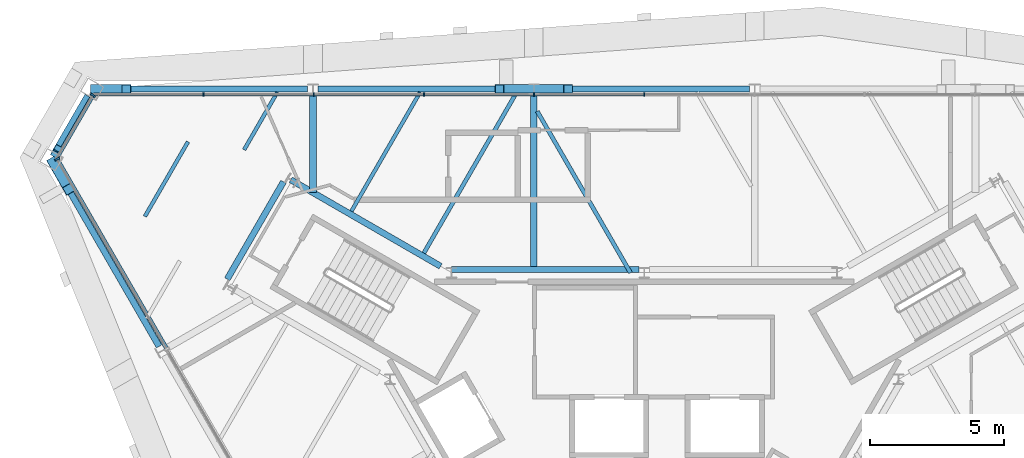
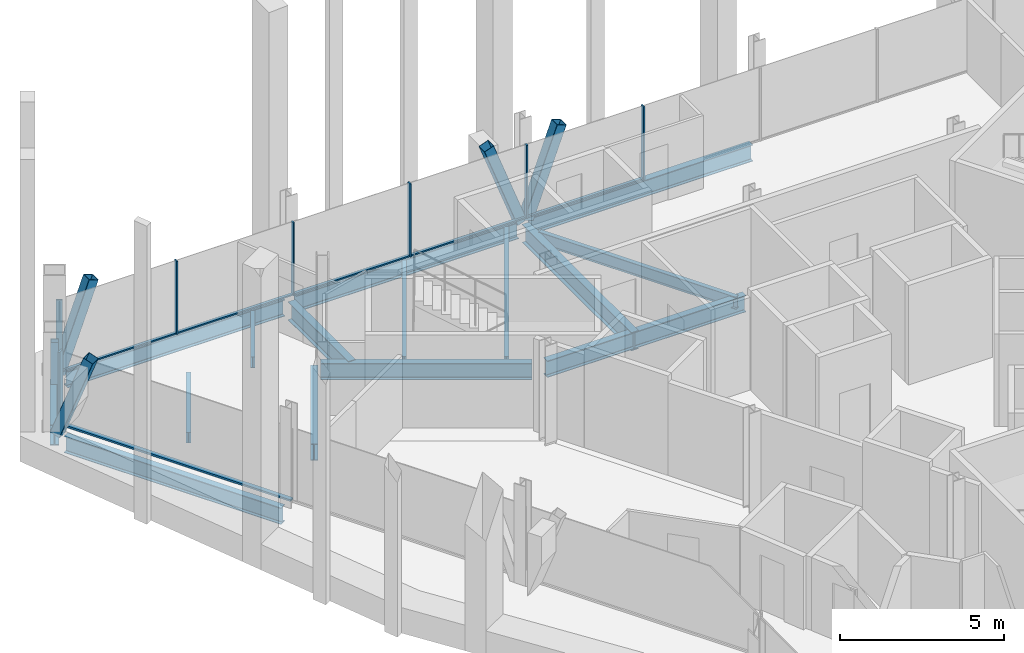
# One storey, part 5 of 12: 19 members, 15 beams, 3 elements without a shape of their own.
"""IFC4 building model written with IfcOpenShell, lengths in metres."""

from ifc_helpers import new_model, si_unit, direction, frame, origin, origin_2d, place, context, subcontext, project, spatial, rectangle, hollow_rectangle, i_section, extrude, material, material_profile, profile_set, type_object, element, aggregate, save


model = new_model("IFC4")

# Units and contexts
model_context = context("Model", 3, precision=1e-05, world=origin(), true_north=direction((0.0, 1.0)))
body_context = subcontext(model_context, "Body", "Model", "MODEL_VIEW")
ifc_project = project(units=[si_unit("LENGTHUNIT", "METRE"), si_unit("AREAUNIT", "SQUARE_METRE"), si_unit("VOLUMEUNIT", "CUBIC_METRE"), si_unit("PLANEANGLEUNIT", "RADIAN"), si_unit("MASSUNIT", "GRAM", prefix="KILO")], contexts=[model_context])

# Site, building, storey
site_placement = place(None, origin())
site = spatial("IfcSite", under=ifc_project, at=site_placement, CompositionType="ELEMENT")
building_placement = place(site_placement, origin())
building = spatial("IfcBuilding", under=site, at=building_placement, Name="Verrane Prism Tower", CompositionType="ELEMENT")
storey_placement = place(building_placement, frame((0.0, 0.0, 264.0)))
storey = spatial("IfcBuildingStorey", under=building, at=storey_placement, Name="L66", CompositionType="ELEMENT", Elevation=264.0)

# Member
ifc_material_1 = material(Name="Steel A500 Grade C", Category="steel")
ifc_material_profile_1 = material_profile(ifc_material_1, hollow_rectangle(XDim=0.25390625, YDim=0.25390625, WallThickness=0.009521484375, InnerFilletRadius=0.0048828125, OuterFilletRadius=0.014404296875, at=origin_2d()), Name="HSS10x10x3/8")
ifc_profile_set_1 = profile_set([ifc_material_profile_1], Name="Steel A500 Grade C")
member_type_1 = type_object("IfcMemberType", Name="Chamfer brace HSS10x10x3/8", PredefinedType="BRACE", material=ifc_profile_set_1)
member_1_placement = place(storey_placement, frame((-21.98486328125, 11.25390625, 1.434814453125), z_axis=(0.067798771595, 0.117337524906, 0.990775066208), x_axis=(-0.865853063258, 0.500298383813, 0.0)))
element("IfcMember", 1, at=member_1_placement, inside=storey, type_object=member_type_1, Name="Chamfer brace NW0 L66", PredefinedType="BRACE", context=body_context, shape_type="SweptSolid", body=[
    extrude(hollow_rectangle(XDim=0.25390625, YDim=0.25390625, WallThickness=0.009521484375, InnerFilletRadius=0.0048828125, OuterFilletRadius=0.014404296875, at=origin_2d()), origin(), (0.0, 0.0, 1.0), 1.444091796875),
])

# Beams
ifc_material_2 = material(Name="Steel A992", Category="steel")
ifc_material_profile_2 = material_profile(ifc_material_2, i_section(OverallWidth=0.2666015625, OverallDepth=0.7568359375, WebThickness=0.013916015625, FlangeThickness=0.019287109375, FilletRadius=0.0166015625, at=origin_2d()), Name="W30x108")
ifc_profile_set_2 = profile_set([ifc_material_profile_2], Name="Steel A992")
beam_type_1 = type_object("IfcBeamType", Name="Chamfer spandrel beam W30x108", PredefinedType="SPANDREL", material=ifc_profile_set_2)
beam_1_placement = place(storey_placement, frame((-20.75, 13.390380859375, -0.53857421875), z_axis=(-0.500436097356, -0.865773476415, 0.0), x_axis=(0.865773476415, -0.500436097356, 0.0)))
element("IfcBeam", 2, at=beam_1_placement, inside=storey, type_object=beam_type_1, Name="Chamfer spandrel beam L66", PredefinedType="SPANDREL", context=body_context, shape_type="SweptSolid", body=[
    extrude(i_section(OverallWidth=0.2666015625, OverallDepth=0.7568359375, WebThickness=0.013916015625, FlangeThickness=0.019287109375, FilletRadius=0.0166015625, at=origin_2d()), origin(), (0.0, 0.0, 1.0), 2.437744140625),
])
ifc_material_3 = material(Name="Steel A992", Category="steel")
ifc_material_profile_3 = material_profile(ifc_material_3, i_section(OverallWidth=0.23046875, OverallDepth=0.6171875, WebThickness=0.01318359375, FlangeThickness=0.022216796875, FilletRadius=0.012939453125, at=origin_2d()), Name="W24x94")
ifc_profile_set_3 = profile_set([ifc_material_profile_3], Name="Steel A992")
beam_type_2 = type_object("IfcBeamType", Name="Core ring girder W24x94", PredefinedType="BEAM", material=ifc_profile_set_3)
beam_2_placement = place(storey_placement, frame((-0.199462890625, 6.92626953125, -0.55859375), z_axis=(-1.0, 0.0, 0.0), x_axis=(0.0, -1.0, 0.0)))
element("IfcBeam", 3, at=beam_2_placement, inside=storey, type_object=beam_type_2, Name="Core ring girder L66", PredefinedType="BEAM", context=body_context, shape_type="SweptSolid", body=[
    extrude(i_section(OverallWidth=0.23046875, OverallDepth=0.6171875, WebThickness=0.01318359375, FlangeThickness=0.022216796875, FilletRadius=0.012939453125, at=origin_2d()), origin(), (0.0, 0.0, 1.0), 7.0),
])
beam_3_placement = place(storey_placement, frame((-7.59814453125, 7.041259765625, -0.55859375), z_axis=(-0.866080992722, 0.499903704773, 0.0), x_axis=(-0.499903704773, -0.866080992722, 0.0)))
element("IfcBeam", 4, at=beam_3_placement, inside=storey, type_object=beam_type_2, Name="Core ring girder L66", PredefinedType="BEAM", context=body_context, shape_type="SweptSolid", body=[
    extrude(i_section(OverallWidth=0.23046875, OverallDepth=0.6171875, WebThickness=0.01318359375, FlangeThickness=0.022216796875, FilletRadius=0.012939453125, at=origin_2d()), origin(), (0.0, 0.0, 1.0), 6.451904296875),
])
beam_4_placement = place(storey_placement, frame((-13.458984375, 10.1923828125, -0.55859375), z_axis=(-0.500375511519, -0.865808493532, 0.0), x_axis=(0.865808493532, -0.500375511519, 0.0)))
element("IfcBeam", 5, at=beam_4_placement, inside=storey, type_object=beam_type_2, Name="Core ring girder L66", PredefinedType="BEAM", context=body_context, shape_type="SweptSolid", body=[
    extrude(i_section(OverallWidth=0.23046875, OverallDepth=0.6171875, WebThickness=0.01318359375, FlangeThickness=0.022216796875, FilletRadius=0.012939453125, at=origin_2d()), origin(), (0.0, 0.0, 1.0), 4.195556640625),
])

# Members
ifc_material_4 = material(Name="Steel A500 Grade C", Category="steel")
ifc_material_profile_4 = material_profile(ifc_material_4, hollow_rectangle(XDim=0.355712890625, YDim=0.355712890625, WallThickness=0.0126953125, InnerFilletRadius=0.00634765625, OuterFilletRadius=0.01904296875, at=origin_2d()), Name="HSS14x14x1/2")
ifc_profile_set_4 = profile_set([ifc_material_profile_4], Name="Steel A500 Grade C")
member_type_2 = type_object("IfcMemberType", Name="Facade brace HSS14x14x1/2", PredefinedType="BRACE", material=ifc_profile_set_4)
for number, where, z_axis, x_axis, name in (
    (6, (-4.009765625, 13.64990234375, -0.171630859375), (0.34799321157, 0.0, 0.937497053169), (0.0, 1.0, 0.0), "Facade brace N2 L66"),
    (7, (-4.230224609375, 13.64990234375, -0.171630859375), (-0.34799321157, 0.0, 0.937497053169), (0.0, -1.0, 0.0), "Facade brace N3 L66"),
):
    element("IfcMember", number, at=place(storey_placement, frame(where, z_axis=z_axis, x_axis=x_axis)), inside=storey, type_object=member_type_2, Name=name, PredefinedType="BRACE", context=body_context, shape_type="SweptSolid", body=[
        extrude(hollow_rectangle(XDim=0.355712890625, YDim=0.355712890625, WallThickness=0.0126953125, InnerFilletRadius=0.00634765625, OuterFilletRadius=0.01904296875, at=origin_2d()), origin(), (0.0, 0.0, 1.0), 3.361328125),
    ])
member_2_placement = place(storey_placement, frame((-20.48974609375, 13.64990234375, -0.171630859375), z_axis=(0.347929370392, 0.0, 0.937520748154), x_axis=(0.0, 1.0, 0.0)))
element("IfcMember", 8, at=member_2_placement, inside=storey, type_object=member_type_2, Name="Facade brace N4 L66", PredefinedType="BRACE", context=body_context, shape_type="SweptSolid", body=[
    extrude(hollow_rectangle(XDim=0.355712890625, YDim=0.355712890625, WallThickness=0.0126953125, InnerFilletRadius=0.00634765625, OuterFilletRadius=0.01904296875, at=origin_2d()), origin(), (0.0, 0.0, 1.0), 3.361083984375),
])
member_3_placement = place(storey_placement, frame((-22.06494140625, 10.924560546875, -0.171630859375), z_axis=(0.174020878561, -0.301558717773, 0.937432170111), x_axis=(0.866130014302, 0.499818765479, 0.0)))
element("IfcMember", 9, at=member_3_placement, inside=storey, type_object=member_type_2, Name="Facade brace SW0 L66", PredefinedType="BRACE", context=body_context, shape_type="SweptSolid", body=[
    extrude(hollow_rectangle(XDim=0.355712890625, YDim=0.355712890625, WallThickness=0.0126953125, InnerFilletRadius=0.00634765625, OuterFilletRadius=0.01904296875, at=origin_2d()), origin(), (0.0, 0.0, 1.0), 3.361328125),
])

# Beams
ifc_material_5 = material(Name="Steel A992", Category="steel")
ifc_material_profile_5 = material_profile(ifc_material_5, i_section(OverallWidth=0.140380859375, OverallDepth=0.40380859375, WebThickness=0.007080078125, FlangeThickness=0.01123046875, FilletRadius=0.01025390625, at=origin_2d()), Name="W16x31")
ifc_profile_set_5 = profile_set([ifc_material_profile_5], Name="Steel A992")
beam_type_3 = type_object("IfcBeamType", Name="Floor beam W16x31", PredefinedType="BEAM", material=ifc_profile_set_5)
beam_5_placement = place(storey_placement, frame((-10.925048828125, 9.094482421875, -0.36181640625), z_axis=(0.500005474671, 0.866022242959, 0.0), x_axis=(-0.866022242959, 0.500005474671, 0.0)))
element("IfcBeam", 10, at=beam_5_placement, inside=storey, type_object=beam_type_3, Name="Floor beam L66", PredefinedType="BEAM", context=body_context, shape_type="SweptSolid", body=[
    extrude(i_section(OverallWidth=0.140380859375, OverallDepth=0.40380859375, WebThickness=0.007080078125, FlangeThickness=0.01123046875, FilletRadius=0.01025390625, at=origin_2d()), origin(), (0.0, 0.0, 1.0), 5.12744140625),
])
beam_6_placement = place(storey_placement, frame((-14.927490234375, 11.386962890625, -0.36181640625), z_axis=(0.500034869029, 0.866005271205, 0.0), x_axis=(-0.866005271205, 0.500034869029, 0.0)))
element("IfcBeam", 11, at=beam_6_placement, inside=storey, type_object=beam_type_3, Name="Floor beam L66", PredefinedType="BEAM", context=body_context, shape_type="SweptSolid", body=[
    extrude(i_section(OverallWidth=0.140380859375, OverallDepth=0.40380859375, WebThickness=0.007080078125, FlangeThickness=0.01123046875, FilletRadius=0.01025390625, at=origin_2d()), origin(), (0.0, 0.0, 1.0), 2.480224609375),
])
beam_7_placement = place(storey_placement, frame((-18.628662109375, 8.900390625, -0.36181640625), z_axis=(0.500027048631, 0.866009786687, 0.0), x_axis=(-0.866009786687, 0.500027048631, 0.0)))
element("IfcBeam", 12, at=beam_7_placement, inside=storey, type_object=beam_type_3, Name="Floor beam L66", PredefinedType="BEAM", context=body_context, shape_type="SweptSolid", body=[
    extrude(i_section(OverallWidth=0.140380859375, OverallDepth=0.40380859375, WebThickness=0.007080078125, FlangeThickness=0.01123046875, FilletRadius=0.01025390625, at=origin_2d()), origin(), (0.0, 0.0, 1.0), 3.214599609375),
])
ifc_material_6 = material(Name="Steel A992", Category="steel")
ifc_material_profile_6 = material_profile(ifc_material_6, i_section(OverallWidth=0.15234375, OverallDepth=0.449462890625, WebThickness=0.007568359375, FlangeThickness=0.0107421875, FilletRadius=0.01025390625, at=origin_2d()), Name="W18x35")
ifc_profile_set_6 = profile_set([ifc_material_profile_6], Name="Steel A992")
beam_type_4 = type_object("IfcBeamType", Name="Floor beam W18x35", PredefinedType="BEAM", material=ifc_profile_set_6)
beam_8_placement = place(storey_placement, frame((-0.516845703125, 6.800048828125, -0.384765625), z_axis=(-0.499999078476, 0.866025935826, 0.0), x_axis=(-0.866025935826, -0.499999078476, 0.0)))
element("IfcBeam", 13, at=beam_8_placement, inside=storey, type_object=beam_type_4, Name="Floor beam L66", PredefinedType="BEAM", context=body_context, shape_type="SweptSolid", body=[
    extrude(i_section(OverallWidth=0.15234375, OverallDepth=0.449462890625, WebThickness=0.007568359375, FlangeThickness=0.0107421875, FilletRadius=0.01025390625, at=origin_2d()), origin(), (0.0, 0.0, 1.0), 6.9521484375),
])
beam_9_placement = place(storey_placement, frame((-8.22265625, 7.53466796875, -0.384765625), z_axis=(0.500012221024, 0.866018347858, 0.0), x_axis=(-0.866018347858, 0.500012221024, 0.0)))
element("IfcBeam", 14, at=beam_9_placement, inside=storey, type_object=beam_type_4, Name="Floor beam L66", PredefinedType="BEAM", context=body_context, shape_type="SweptSolid", body=[
    extrude(i_section(OverallWidth=0.15234375, OverallDepth=0.449462890625, WebThickness=0.007568359375, FlangeThickness=0.0107421875, FilletRadius=0.01025390625, at=origin_2d()), origin(), (0.0, 0.0, 1.0), 6.928466796875),
])

# Curtain wall, members
ifc_material_7 = material(Name="Aluminium framed insulated glazing", Category="aluminium")
curtain_wall_type_1 = type_object("IfcCurtainWallType", Name="Curtain wall CW-C 4200 module", PredefinedType="NOTDEFINED", material=ifc_material_7)
curtain_wall_1_placement = place(storey_placement, origin())
curtain_wall_1 = element("IfcCurtainWall", 15, at=curtain_wall_1_placement, inside=storey, type_object=curtain_wall_type_1, Name="Glazed curtain wall north face L66", PredefinedType="NOTDEFINED")
ifc_material_8 = material(Name="Aluminium alloy 6063-T6", Category="aluminium")
ifc_material_profile_7 = material_profile(ifc_material_8, rectangle(XDim=0.139892578125, YDim=0.050048828125, at=origin_2d()), Name="Mullion 50x140 aluminium")
ifc_profile_set_7 = profile_set([ifc_material_profile_7], Name="Aluminium alloy 6063-T6")
member_type_3 = type_object("IfcMemberType", Name="Mullion 50x140 aluminium", PredefinedType="MULLION", material=ifc_profile_set_7)
member_4_placement = place(storey_placement, frame((0.0, 13.447265625, 0.0), z_axis=(0.0, 0.0, 1.0), x_axis=(0.0, -1.0, 0.0)))
member_4 = element("IfcMember", 16, at=member_4_placement, type_object=member_type_3, Name="CW66.2 mullion 6", PredefinedType="MULLION", context=body_context, shape_type="SweptSolid", body=[
    extrude(rectangle(XDim=0.139892578125, YDim=0.050048828125, at=origin_2d()), origin(), (0.0, 0.0, 1.0), 2.72314453125),
])
member_5_placement = place(storey_placement, frame((-4.109130859375, 13.447265625, 0.0), z_axis=(0.0, 0.0, 1.0), x_axis=(0.0, -1.0, 0.0)))
member_5 = element("IfcMember", 17, at=member_5_placement, type_object=member_type_3, Name="CW66.2 mullion 7", PredefinedType="MULLION", context=body_context, shape_type="SweptSolid", body=[
    extrude(rectangle(XDim=0.139892578125, YDim=0.050048828125, at=origin_2d()), origin(), (0.0, 0.0, 1.0), 2.72314453125),
])
member_6_placement = place(storey_placement, frame((-8.218505859375, 13.447265625, 0.0), z_axis=(0.0, 0.0, 1.0), x_axis=(0.0, -1.0, 0.0)))
member_6 = element("IfcMember", 18, at=member_6_placement, type_object=member_type_3, Name="CW66.2 mullion 8", PredefinedType="MULLION", context=body_context, shape_type="SweptSolid", body=[
    extrude(rectangle(XDim=0.139892578125, YDim=0.050048828125, at=origin_2d()), origin(), (0.0, 0.0, 1.0), 2.72314453125),
])
member_7_placement = place(storey_placement, frame((-12.32763671875, 13.447265625, 0.0), z_axis=(0.0, 0.0, 1.0), x_axis=(0.0, -1.0, 0.0)))
member_7 = element("IfcMember", 19, at=member_7_placement, type_object=member_type_3, Name="CW66.2 mullion 9", PredefinedType="MULLION", context=body_context, shape_type="SweptSolid", body=[
    extrude(rectangle(XDim=0.139892578125, YDim=0.050048828125, at=origin_2d()), origin(), (0.0, 0.0, 1.0), 2.72314453125),
])
member_8_placement = place(storey_placement, frame((-16.436767578125, 13.447265625, 0.0), z_axis=(0.0, 0.0, 1.0), x_axis=(0.0, -1.0, 0.0)))
member_8 = element("IfcMember", 20, at=member_8_placement, type_object=member_type_3, Name="CW66.2 mullion 10", PredefinedType="MULLION", context=body_context, shape_type="SweptSolid", body=[
    extrude(rectangle(XDim=0.139892578125, YDim=0.050048828125, at=origin_2d()), origin(), (0.0, 0.0, 1.0), 2.72314453125),
])

# Curtain wall, member
ifc_material_9 = material(Name="Aluminium framed insulated glazing", Category="aluminium")
curtain_wall_type_2 = type_object("IfcCurtainWallType", Name="Curtain wall CW-A 8400 module", PredefinedType="NOTDEFINED", material=ifc_material_9)
curtain_wall_2_placement = place(storey_placement, origin())
curtain_wall_2 = element("IfcCurtainWall", 21, at=curtain_wall_2_placement, inside=storey, type_object=curtain_wall_type_2, Name="Glazed curtain wall north-west corner L66", PredefinedType="NOTDEFINED")
ifc_material_10 = material(Name="Aluminium alloy 6063-T6", Category="aluminium")
ifc_material_profile_8 = material_profile(ifc_material_10, rectangle(XDim=0.199951171875, YDim=0.070068359375, at=origin_2d()), Name="Mullion 70x200 aluminium")
ifc_profile_set_8 = profile_set([ifc_material_profile_8], Name="Aluminium alloy 6063-T6")
member_type_4 = type_object("IfcMemberType", Name="Mullion 70x200 aluminium", PredefinedType="MULLION", material=ifc_profile_set_8)
member_9_placement = place(storey_placement, frame((-20.563720703125, 13.4169921875, 0.0), z_axis=(0.0, 0.0, 1.0), x_axis=(0.866024225493, -0.500002040855, 0.0)))
member_9 = element("IfcMember", 22, at=member_9_placement, type_object=member_type_4, Name="CW66.3 mullion 1", PredefinedType="MULLION", context=body_context, shape_type="SweptSolid", body=[
    extrude(rectangle(XDim=0.199951171875, YDim=0.070068359375, at=origin_2d()), origin(), (0.0, 0.0, 1.0), 2.72314453125),
])

curtain_wall_3_placement = place(storey_placement, origin())
curtain_wall_3 = element("IfcCurtainWall", 23, at=curtain_wall_3_placement, inside=storey, type_object=curtain_wall_type_2, Name="Glazed curtain wall south-west face L66", PredefinedType="NOTDEFINED")
member_10_placement = place(storey_placement, frame((-21.901123046875, 11.03955078125, 0.0), z_axis=(0.0, 0.0, 1.0), x_axis=(0.866024861728, 0.500000938868, 0.0)))
member_10 = element("IfcMember", 24, at=member_10_placement, type_object=member_type_4, Name="CW66.4 mullion 1", PredefinedType="MULLION", context=body_context, shape_type="SweptSolid", body=[
    extrude(rectangle(XDim=0.199951171875, YDim=0.070068359375, at=origin_2d()), origin(), (0.0, 0.0, 1.0), 2.72314453125),
])

# Beams
ifc_material_11 = material(Name="Steel A992", Category="steel")
ifc_material_profile_9 = material_profile(ifc_material_11, i_section(OverallWidth=0.25390625, OverallDepth=0.683349609375, WebThickness=0.012451171875, FlangeThickness=0.01904296875, FilletRadius=0.01513671875, at=origin_2d()), Name="W27x94")
ifc_profile_set_9 = profile_set([ifc_material_profile_9], Name="Steel A992")
beam_type_5 = type_object("IfcBeamType", Name="Radial girder W27x94", PredefinedType="BEAM", material=ifc_profile_set_9)
beam_10_placement = place(storey_placement, frame((-4.1201171875, 13.4619140625, -0.5615234375), z_axis=(0.0, -1.0, 0.0), x_axis=(1.0, 0.0, 0.0)))
element("IfcBeam", 25, at=beam_10_placement, inside=storey, type_object=beam_type_5, Name="Radial girder L66", PredefinedType="BEAM", context=body_context, shape_type="SweptSolid", body=[
    extrude(i_section(OverallWidth=0.25390625, OverallDepth=0.683349609375, WebThickness=0.012451171875, FlangeThickness=0.01904296875, FilletRadius=0.01513671875, at=origin_2d()), origin(), (0.0, 0.0, 1.0), 6.661865234375),
])
beam_11_placement = place(storey_placement, frame((-12.360107421875, 13.4619140625, -0.5615234375), z_axis=(0.0, -1.0, 0.0), x_axis=(1.0, 0.0, 0.0)))
element("IfcBeam", 26, at=beam_11_placement, inside=storey, type_object=beam_type_5, Name="Radial girder L66", PredefinedType="BEAM", context=body_context, shape_type="SweptSolid", body=[
    extrude(i_section(OverallWidth=0.25390625, OverallDepth=0.683349609375, WebThickness=0.012451171875, FlangeThickness=0.01904296875, FilletRadius=0.01513671875, at=origin_2d()), origin(), (0.0, 0.0, 1.0), 3.672119140625),
])
ifc_material_12 = material(Name="Steel A992", Category="steel")
ifc_material_profile_10 = material_profile(ifc_material_12, i_section(OverallWidth=0.23046875, OverallDepth=0.6171875, WebThickness=0.01318359375, FlangeThickness=0.022216796875, FilletRadius=0.012939453125, at=origin_2d()), Name="W24x94")
ifc_profile_set_10 = profile_set([ifc_material_profile_10], Name="Steel A992")
beam_type_6 = type_object("IfcBeamType", Name="Spandrel beam W24x94", PredefinedType="SPANDREL", material=ifc_profile_set_10)
for number, where, z_axis, x_axis, name in (
    (27, (3.923095703125, 13.64990234375, -0.468505859375), (-1.0, 0.0, 0.0), (0.0, -1.0, 0.0), "Spandrel beam L66"),
    (28, (-4.31689453125, 13.64990234375, -0.468505859375), (-1.0, 0.0, 0.0), (0.0, -1.0, 0.0), "Spandrel beam L66"),
):
    element("IfcBeam", number, at=place(storey_placement, frame(where, z_axis=z_axis, x_axis=x_axis)), inside=storey, type_object=beam_type_6, Name=name, PredefinedType="SPANDREL", context=body_context, shape_type="SweptSolid", body=[
        extrude(i_section(OverallWidth=0.23046875, OverallDepth=0.6171875, WebThickness=0.01318359375, FlangeThickness=0.022216796875, FilletRadius=0.012939453125, at=origin_2d()), origin(), (0.0, 0.0, 1.0), 7.84619140625),
    ])
beam_12_placement = place(storey_placement, frame((-12.556884765625, 13.64990234375, -0.468505859375), z_axis=(-1.0, 0.0, 0.0), x_axis=(0.0, -1.0, 0.0)))
element("IfcBeam", 29, at=beam_12_placement, inside=storey, type_object=beam_type_6, Name="Spandrel beam L66", PredefinedType="SPANDREL", context=body_context, shape_type="SweptSolid", body=[
    extrude(i_section(OverallWidth=0.23046875, OverallDepth=0.6171875, WebThickness=0.01318359375, FlangeThickness=0.022216796875, FilletRadius=0.012939453125, at=origin_2d()), origin(), (0.0, 0.0, 1.0), 7.638916015625),
])
beam_13_placement = place(storey_placement, frame((-21.91796875, 10.669921875, -0.468505859375), z_axis=(0.499791590914, -0.866145695395, 0.0), x_axis=(0.866145695395, 0.499791590914, 0.0)))
element("IfcBeam", 30, at=beam_13_placement, inside=storey, type_object=beam_type_6, Name="Spandrel beam L66", PredefinedType="SPANDREL", context=body_context, shape_type="SweptSolid", body=[
    extrude(i_section(OverallWidth=0.23046875, OverallDepth=0.6171875, WebThickness=0.01318359375, FlangeThickness=0.022216796875, FilletRadius=0.012939453125, at=origin_2d()), origin(), (0.0, 0.0, 1.0), 7.642333984375),
])

# Member
ifc_material_13 = material(Name="Aluminium alloy 6063-T6", Category="aluminium")
ifc_material_profile_11 = material_profile(ifc_material_13, rectangle(XDim=0.10009765625, YDim=0.050048828125, at=origin_2d()), Name="Transom 50x100 aluminium")
ifc_profile_set_11 = profile_set([ifc_material_profile_11], Name="Aluminium alloy 6063-T6")
member_type_5 = type_object("IfcMemberType", Name="Transom 50x100 aluminium", PredefinedType="USERDEFINED", material=ifc_profile_set_11)
member_11_placement = place(storey_placement, frame((-0.02490234375, 13.447265625, 0.02490234375), z_axis=(-1.0, 0.0, 0.0), x_axis=(0.0, -1.0, 0.0)))
member_11 = element("IfcMember", 31, at=member_11_placement, type_object=member_type_5, Name="CW66.2 transom 6", ObjectType="TRANSOM", PredefinedType="USERDEFINED", context=body_context, shape_type="SweptSolid", body=[
    extrude(rectangle(XDim=0.10009765625, YDim=0.050048828125, at=origin_2d()), origin(), (0.0, 0.0, 1.0), 4.059326171875),
])

member_12_placement = place(storey_placement, frame((-4.13427734375, 13.447265625, 0.02490234375), z_axis=(-1.0, 0.0, 0.0), x_axis=(0.0, -1.0, 0.0)))
member_12 = element("IfcMember", 32, at=member_12_placement, type_object=member_type_5, Name="CW66.2 transom 7", ObjectType="TRANSOM", PredefinedType="USERDEFINED", context=body_context, shape_type="SweptSolid", body=[
    extrude(rectangle(XDim=0.10009765625, YDim=0.050048828125, at=origin_2d()), origin(), (0.0, 0.0, 1.0), 4.05908203125),
])

member_13_placement = place(storey_placement, frame((-8.243408203125, 13.447265625, 0.02490234375), z_axis=(-1.0, 0.0, 0.0), x_axis=(0.0, -1.0, 0.0)))
member_13 = element("IfcMember", 33, at=member_13_placement, type_object=member_type_5, Name="CW66.2 transom 8", ObjectType="TRANSOM", PredefinedType="USERDEFINED", context=body_context, shape_type="SweptSolid", body=[
    extrude(rectangle(XDim=0.10009765625, YDim=0.050048828125, at=origin_2d()), origin(), (0.0, 0.0, 1.0), 4.059326171875),
])

member_14_placement = place(storey_placement, frame((-12.3525390625, 13.447265625, 0.02490234375), z_axis=(-1.0, 0.0, 0.0), x_axis=(0.0, -1.0, 0.0)))
member_14 = element("IfcMember", 34, at=member_14_placement, type_object=member_type_5, Name="CW66.2 transom 9", ObjectType="TRANSOM", PredefinedType="USERDEFINED", context=body_context, shape_type="SweptSolid", body=[
    extrude(rectangle(XDim=0.10009765625, YDim=0.050048828125, at=origin_2d()), origin(), (0.0, 0.0, 1.0), 4.059326171875),
])

member_15_placement = place(storey_placement, frame((-16.4619140625, 13.447265625, 0.02490234375), z_axis=(-1.0, 0.0, 0.0), x_axis=(0.0, -1.0, 0.0)))
member_15 = element("IfcMember", 35, at=member_15_placement, type_object=member_type_5, Name="CW66.2 transom 10", ObjectType="TRANSOM", PredefinedType="USERDEFINED", context=body_context, shape_type="SweptSolid", body=[
    extrude(rectangle(XDim=0.10009765625, YDim=0.050048828125, at=origin_2d()), origin(), (0.0, 0.0, 1.0), 4.084228515625),
])

aggregate(curtain_wall_1, [member_4, member_5, member_6, member_7, member_8, member_11, member_12, member_13, member_14, member_15])

ifc_material_14 = material(Name="Aluminium alloy 6063-T6", Category="aluminium")
ifc_material_profile_12 = material_profile(ifc_material_14, rectangle(XDim=0.14990234375, YDim=0.070068359375, at=origin_2d()), Name="Transom 70x150 aluminium")
ifc_profile_set_12 = profile_set([ifc_material_profile_12], Name="Aluminium alloy 6063-T6")
member_type_6 = type_object("IfcMemberType", Name="Transom 70x150 aluminium", PredefinedType="USERDEFINED", material=ifc_profile_set_12)
member_16_placement = place(storey_placement, frame((-20.5810546875, 13.386474609375, 0.034912109375), z_axis=(-0.50003581814, -0.866004723184, 0.0), x_axis=(0.866004723184, -0.50003581814, 0.0)))
member_16 = element("IfcMember", 36, at=member_16_placement, type_object=member_type_6, Name="CW66.3 transom 1", ObjectType="TRANSOM", PredefinedType="USERDEFINED", context=body_context, shape_type="SweptSolid", body=[
    extrude(rectangle(XDim=0.14990234375, YDim=0.070068359375, at=origin_2d()), origin(), (0.0, 0.0, 1.0), 2.675048828125),
])

aggregate(curtain_wall_2, [member_9, member_16])

member_17_placement = place(storey_placement, frame((-21.8837890625, 11.00927734375, 0.034912109375), z_axis=(0.500006361831, -0.866021730749, 0.0), x_axis=(0.866021730749, 0.500006361831, 0.0)))
member_17 = element("IfcMember", 37, at=member_17_placement, type_object=member_type_6, Name="CW66.4 transom 1", ObjectType="TRANSOM", PredefinedType="USERDEFINED", context=body_context, shape_type="SweptSolid", body=[
    extrude(rectangle(XDim=0.14990234375, YDim=0.070068359375, at=origin_2d()), origin(), (0.0, 0.0, 1.0), 8.11376953125),
])

aggregate(curtain_wall_3, [member_10, member_17])

save(model, "model.ifc")
